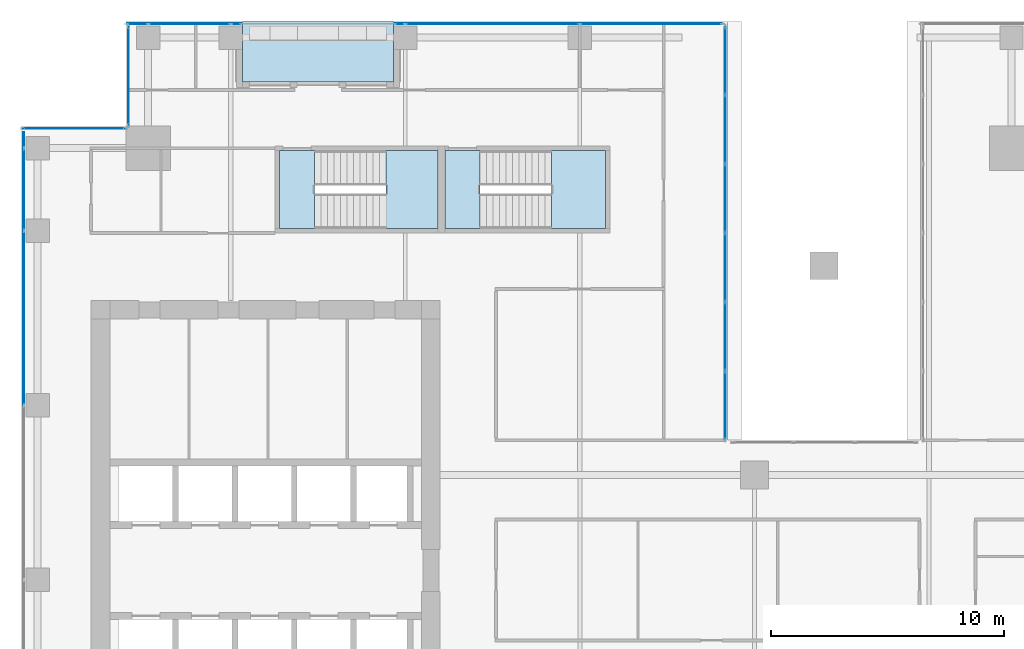
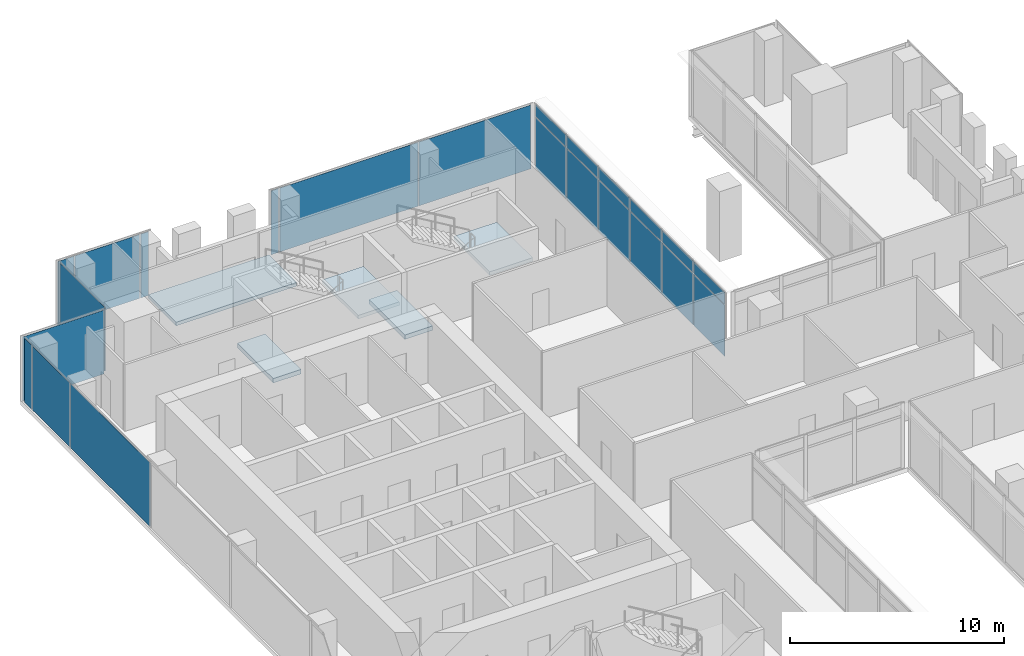
# One storey, part 32 of 40: 23 plates, 5 slabs, 8 elements without a shape of their own.
"""IFC4 building model written with IfcOpenShell, lengths in metres."""

from ifc_helpers import new_model, si_unit, direction, frame, origin, origin_2d, place, context, subcontext, project, spatial, polyline, rectangle, outline, extrude, source, transform, mapped, material, layer, layer_set, type_object, element, aggregate, save


model = new_model("IFC4")

# Units and contexts
model_context = context("Model", 3, precision=1e-05, world=origin(), true_north=direction((0.0, 1.0)))
body_context = subcontext(model_context, "Body", "Model", "MODEL_VIEW")
ifc_project = project(units=[si_unit("LENGTHUNIT", "METRE"), si_unit("AREAUNIT", "SQUARE_METRE"), si_unit("VOLUMEUNIT", "CUBIC_METRE"), si_unit("PLANEANGLEUNIT", "RADIAN"), si_unit("MASSUNIT", "GRAM", prefix="KILO")], contexts=[model_context])

# Site, building, storey
site_placement = place(None, origin())
site = spatial("IfcSite", under=ifc_project, at=site_placement, CompositionType="ELEMENT")
building_placement = place(site_placement, origin())
building = spatial("IfcBuilding", under=site, at=building_placement, Name="Khomas Fold Tower", CompositionType="ELEMENT")
storey_placement = place(building_placement, frame((0.0, 0.0, 180.699951171875)))
storey = spatial("IfcBuildingStorey", under=building, at=storey_placement, Name="L39", CompositionType="ELEMENT", Elevation=180.699951171875)

# Curtain wall, plate
ifc_material_1 = material(Name="Aluminium framed double glazing", Category="aluminium")
curtain_wall_type_1 = type_object("IfcCurtainWallType", Name="SK-Unitised clear-glass wall, office floors CW2", PredefinedType="NOTDEFINED", material=ifc_material_1)
curtain_wall_1_placement = place(storey_placement, origin())
curtain_wall_1 = element("IfcCurtainWall", 1, at=curtain_wall_1_placement, inside=storey, type_object=curtain_wall_type_1, Name="CW2 corner return L39 17", PredefinedType="NOTDEFINED")
ifc_material_2 = material(Name="Clear double glazed unit")
ifc_layer_1 = layer(ifc_material_2, 0.030029296875)
ifc_layer_set_1 = layer_set([ifc_layer_1], Name="Clear double glazed unit")
plate_type_1 = type_object("IfcPlateType", Name="SK-Unitised clear-glass wall, office floors glass panel CW2-P", PredefinedType="CURTAIN_PANEL", material=ifc_layer_set_1)
shared_shape_1 = source(origin(), body_context, "Body", "SweptSolid", [
    extrude(rectangle(XDim=4.3798828125, YDim=0.030029296875, at=origin_2d()), origin(), (0.0, 0.0, 1.0), 3.639892578125),
])
plate_1_placement = place(storey_placement, frame((5.25, 46.39990234375, 0.0), z_axis=(0.0, 0.0, 1.0), x_axis=(-1.0, 0.0, 0.0)))
plate_1 = element("IfcPlate", 2, at=plate_1_placement, type_object=plate_type_1, Name="CW2 glass panel 1", PredefinedType="CURTAIN_PANEL", context=body_context, shape_type="MappedRepresentation", body=[
    mapped(shared_shape_1, transform((0.0, 0.0, 0.0))),
])
aggregate(curtain_wall_1, [plate_1])

curtain_wall_2_placement = place(storey_placement, origin())
curtain_wall_2 = element("IfcCurtainWall", 3, at=curtain_wall_2_placement, inside=storey, type_object=curtain_wall_type_1, Name="CW2 run L39 18-0", PredefinedType="NOTDEFINED")
shared_shape_2 = source(origin(), body_context, "Body", "SweptSolid", [
    extrude(rectangle(XDim=0.659912109375, YDim=0.030029296875, at=origin_2d()), origin(), (0.0, 0.0, 1.0), 3.639892578125),
])
plate_2_placement = place(storey_placement, frame((3.10009765625, 45.909912109375, 0.0), z_axis=(0.0, 0.0, 1.0), x_axis=(0.0, -1.0, 0.0)))
plate_2 = element("IfcPlate", 4, at=plate_2_placement, type_object=plate_type_1, Name="CW2 glass panel 1", PredefinedType="CURTAIN_PANEL", context=body_context, shape_type="MappedRepresentation", body=[
    mapped(shared_shape_2, transform((0.0, 0.0, 0.0))),
])

curtain_wall_3_placement = place(storey_placement, origin())
curtain_wall_3 = element("IfcCurtainWall", 5, at=curtain_wall_3_placement, inside=storey, type_object=curtain_wall_type_1, Name="CW2 run L39 15-1", PredefinedType="NOTDEFINED")
shared_shape_3 = source(origin(), body_context, "Body", "SweptSolid", [
    extrude(rectangle(XDim=3.489990234375, YDim=0.030029296875, at=origin_2d()), origin(), (0.0, 0.0, 1.0), 3.639892578125),
])
plate_3_placement = place(storey_placement, frame((10.22509765625, 50.89990234375, 0.0), z_axis=(0.0, 0.0, 1.0), x_axis=(-1.0, 0.0, 0.0)))
plate_3 = element("IfcPlate", 6, at=plate_3_placement, type_object=plate_type_1, Name="CW2 glass panel 2", PredefinedType="CURTAIN_PANEL", context=body_context, shape_type="MappedRepresentation", body=[
    mapped(shared_shape_3, transform((0.0, 0.0, 0.0))),
])

# Plate
plate_4_placement = place(storey_placement, frame((3.10009765625, 43.77490234375, 0.0), z_axis=(0.0, 0.0, 1.0), x_axis=(0.0, -1.0, 0.0)))
plate_4 = element("IfcPlate", 7, at=plate_4_placement, type_object=plate_type_1, Name="CW2 glass panel 2", PredefinedType="CURTAIN_PANEL", context=body_context, shape_type="MappedRepresentation", body=[
    mapped(shared_shape_3, transform((0.0, 0.0, 0.0))),
])

# Curtain wall, plate
curtain_wall_4_placement = place(storey_placement, origin())
curtain_wall_4 = element("IfcCurtainWall", 8, at=curtain_wall_4_placement, inside=storey, type_object=curtain_wall_type_1, Name="CW2 run L39 15-0", PredefinedType="NOTDEFINED")
shared_shape_4 = source(origin(), body_context, "Body", "SweptSolid", [
    extrude(rectangle(XDim=7.43994140625, YDim=0.030029296875, at=origin_2d()), origin(), (0.0, 0.0, 1.0), 3.639892578125),
])
plate_5_placement = place(storey_placement, frame((23.25, 50.89990234375, 0.0), z_axis=(0.0, 0.0, 1.0), x_axis=(-1.0, 0.0, 0.0)))
plate_5 = element("IfcPlate", 9, at=plate_5_placement, type_object=plate_type_1, Name="CW2 glass panel 2", PredefinedType="CURTAIN_PANEL", context=body_context, shape_type="MappedRepresentation", body=[
    mapped(shared_shape_4, transform((0.0, 0.0, 0.0))),
])

# Plate
plate_6_placement = place(storey_placement, frame((3.10009765625, 38.25, 0.0), z_axis=(0.0, 0.0, 1.0), x_axis=(0.0, -1.0, 0.0)))
plate_6 = element("IfcPlate", 10, at=plate_6_placement, type_object=plate_type_1, Name="CW2 glass panel 3", PredefinedType="CURTAIN_PANEL", context=body_context, shape_type="MappedRepresentation", body=[
    mapped(shared_shape_4, transform((0.0, 0.0, 0.0))),
])

aggregate(curtain_wall_2, [plate_2, plate_4, plate_6])

# Curtain wall, plate
curtain_wall_5_placement = place(storey_placement, origin())
curtain_wall_5 = element("IfcCurtainWall", 11, at=curtain_wall_5_placement, inside=storey, type_object=curtain_wall_type_1, Name="CW2 corner return L39 16", PredefinedType="NOTDEFINED")
shared_shape_5 = source(origin(), body_context, "Body", "SweptSolid", [
    extrude(rectangle(XDim=4.179931640625, YDim=0.030029296875, at=origin_2d()), origin(), (0.0, 0.0, 1.0), 3.639892578125),
])
plate_7_placement = place(storey_placement, frame((7.60009765625, 48.64990234375, 0.0), z_axis=(0.0, 0.0, 1.0), x_axis=(0.0, -1.0, 0.0)))
plate_7 = element("IfcPlate", 12, at=plate_7_placement, type_object=plate_type_1, Name="CW2 glass panel 1", PredefinedType="CURTAIN_PANEL", context=body_context, shape_type="MappedRepresentation", body=[
    mapped(shared_shape_5, transform((0.0, 0.0, 0.0))),
])
aggregate(curtain_wall_5, [plate_7])

# Plate
shared_shape_6 = source(origin(), body_context, "Body", "SweptSolid", [
    extrude(rectangle(XDim=0.409912109375, YDim=0.030029296875, at=origin_2d()), origin(), (0.0, 0.0, 1.0), 3.639892578125),
])
plate_8_placement = place(storey_placement, frame((19.264892578125, 50.89990234375, 0.0), z_axis=(0.0, 0.0, 1.0), x_axis=(-1.0, 0.0, 0.0)))
plate_8 = element("IfcPlate", 13, at=plate_8_placement, type_object=plate_type_1, Name="CW2 glass panel 3", PredefinedType="CURTAIN_PANEL", context=body_context, shape_type="MappedRepresentation", body=[
    mapped(shared_shape_6, transform((0.0, 0.0, 0.0))),
])

plate_9_placement = place(storey_placement, frame((12.235107421875, 50.89990234375, 0.0), z_axis=(0.0, 0.0, 1.0), x_axis=(-1.0, 0.0, 0.0)))
plate_9 = element("IfcPlate", 14, at=plate_9_placement, type_object=plate_type_1, Name="CW2 glass panel 1", PredefinedType="CURTAIN_PANEL", context=body_context, shape_type="MappedRepresentation", body=[
    mapped(shared_shape_6, transform((0.0, 0.0, 0.0))),
])

shared_shape_7 = source(origin(), body_context, "Body", "SweptSolid", [
    extrude(rectangle(XDim=0.860107421875, YDim=0.030029296875, at=origin_2d()), origin(), (0.0, 0.0, 1.0), 3.639892578125),
])
plate_10_placement = place(storey_placement, frame((7.989990234375, 50.89990234375, 0.0), z_axis=(0.0, 0.0, 1.0), x_axis=(-1.0, 0.0, 0.0)))
plate_10 = element("IfcPlate", 15, at=plate_10_placement, type_object=plate_type_1, Name="CW2 glass panel 3", PredefinedType="CURTAIN_PANEL", context=body_context, shape_type="MappedRepresentation", body=[
    mapped(shared_shape_7, transform((0.0, 0.0, 0.0))),
])

aggregate(curtain_wall_3, [plate_9, plate_3, plate_10])

shared_shape_8 = source(origin(), body_context, "Body", "SweptSolid", [
    extrude(rectangle(XDim=6.06005859375, YDim=0.030029296875, at=origin_2d()), origin(), (0.0, 0.0, 1.0), 3.639892578125),
])
plate_11_placement = place(storey_placement, frame((30.06005859375, 50.89990234375, 0.0), z_axis=(0.0, 0.0, 1.0), x_axis=(-1.0, 0.0, 0.0)))
plate_11 = element("IfcPlate", 16, at=plate_11_placement, type_object=plate_type_1, Name="CW2 glass panel 1", PredefinedType="CURTAIN_PANEL", context=body_context, shape_type="MappedRepresentation", body=[
    mapped(shared_shape_8, transform((0.0, 0.0, 0.0))),
])

aggregate(curtain_wall_4, [plate_11, plate_5, plate_8])

# Slab
ifc_material_3 = material(Name="Concrete C40/50", Category="concrete")
ifc_layer_2 = layer(ifc_material_3, 0.205078125)
ifc_layer_set_2 = layer_set([ifc_layer_2], Name="Concrete C40/50")
slab_type_1 = type_object("IfcSlabType", Name="BL-Balcony deck 205", PredefinedType="FLOOR", material=ifc_layer_set_2)
shared_shape_9 = source(origin(), body_context, "Body", "SweptSolid", [
    extrude(outline(polyline([(12.5, 48.39990234375), (19.0, 48.39990234375), (19.0, 51.0), (12.5, 51.0), (12.5, 48.39990234375)])), origin(), (0.0, 0.0, 1.0), 0.205078125),
])
slab_1_placement = place(storey_placement, frame((0.0, 0.0, -0.25)))
element("IfcSlab", 17, at=slab_1_placement, inside=storey, type_object=slab_type_1, Name="Balcony deck BAL-L39-N1", PredefinedType="FLOOR", context=body_context, shape_type="MappedRepresentation", body=[
    mapped(shared_shape_9, transform((0.0, 0.0, 0.0))),
])

# Curtain wall, plates
ifc_material_4 = material(Name="Aluminium framed double glazing", Category="aluminium")
curtain_wall_type_2 = type_object("IfcCurtainWallType", Name="Notch glazing GN-CW", PredefinedType="NOTDEFINED", material=ifc_material_4)
curtain_wall_6_placement = place(storey_placement, origin())
curtain_wall_6 = element("IfcCurtainWall", 18, at=curtain_wall_6_placement, inside=storey, type_object=curtain_wall_type_2, Name="Notch glazing run", PredefinedType="NOTDEFINED")
ifc_material_5 = material(Name="Double glazed unit")
ifc_layer_3 = layer(ifc_material_5, 0.031982421875)
ifc_layer_set_3 = layer_set([ifc_layer_3], Name="Double glazed unit")
plate_type_2 = type_object("IfcPlateType", Name="Notch glazing panel GN-CW-P", PredefinedType="CURTAIN_PANEL", material=ifc_layer_set_3)
shared_shape_10 = source(origin(), body_context, "Body", "SweptSolid", [
    extrude(rectangle(XDim=2.876708984375, YDim=0.031982421875, at=origin_2d()), origin(), (0.0, 0.0, 1.0), 2.909912109375),
])
plate_12_placement = place(storey_placement, frame((33.25, 34.498291015625, 0.06005859375), z_axis=(0.0, 0.0, 1.0), x_axis=(0.0, 1.0, 0.0)))
plate_12 = element("IfcPlate", 19, at=plate_12_placement, type_object=plate_type_2, Name="GN-CW panel 1.1", PredefinedType="CURTAIN_PANEL", context=body_context, shape_type="MappedRepresentation", body=[
    mapped(shared_shape_10, transform((0.0, 0.0, 0.0))),
])
plate_13_placement = place(storey_placement, frame((33.25, 49.3017578125, 0.06005859375), z_axis=(0.0, 0.0, 1.0), x_axis=(0.0, 1.0, 0.0)))
plate_13 = element("IfcPlate", 20, at=plate_13_placement, type_object=plate_type_2, Name="GN-CW panel 6.1", PredefinedType="CURTAIN_PANEL", context=body_context, shape_type="MappedRepresentation", body=[
    mapped(shared_shape_10, transform((0.0, 0.0, 0.0))),
])
shared_shape_11 = source(origin(), body_context, "Body", "SweptSolid", [
    extrude(rectangle(XDim=2.90673828125, YDim=0.031982421875, at=origin_2d()), origin(), (0.0, 0.0, 1.0), 2.909912109375),
])
plate_14_placement = place(storey_placement, frame((33.25, 37.449951171875, 0.06005859375), z_axis=(0.0, 0.0, 1.0), x_axis=(0.0, 1.0, 0.0)))
plate_14 = element("IfcPlate", 21, at=plate_14_placement, type_object=plate_type_2, Name="GN-CW panel 2.1", PredefinedType="CURTAIN_PANEL", context=body_context, shape_type="MappedRepresentation", body=[
    mapped(shared_shape_11, transform((0.0, 0.0, 0.0))),
])
plate_15_placement = place(storey_placement, frame((33.25, 40.416748046875, 0.06005859375), z_axis=(0.0, 0.0, 1.0), x_axis=(0.0, 1.0, 0.0)))
plate_15 = element("IfcPlate", 22, at=plate_15_placement, type_object=plate_type_2, Name="GN-CW panel 3.1", PredefinedType="CURTAIN_PANEL", context=body_context, shape_type="MappedRepresentation", body=[
    mapped(shared_shape_11, transform((0.0, 0.0, 0.0))),
])
plate_16_placement = place(storey_placement, frame((33.25, 43.38330078125, 0.06005859375), z_axis=(0.0, 0.0, 1.0), x_axis=(0.0, 1.0, 0.0)))
plate_16 = element("IfcPlate", 23, at=plate_16_placement, type_object=plate_type_2, Name="GN-CW panel 4.1", PredefinedType="CURTAIN_PANEL", context=body_context, shape_type="MappedRepresentation", body=[
    mapped(shared_shape_11, transform((0.0, 0.0, 0.0))),
])
plate_17_placement = place(storey_placement, frame((33.25, 46.35009765625, 0.06005859375), z_axis=(0.0, 0.0, 1.0), x_axis=(0.0, 1.0, 0.0)))
plate_17 = element("IfcPlate", 24, at=plate_17_placement, type_object=plate_type_2, Name="GN-CW panel 5.1", PredefinedType="CURTAIN_PANEL", context=body_context, shape_type="MappedRepresentation", body=[
    mapped(shared_shape_11, transform((0.0, 0.0, 0.0))),
])
shared_shape_12 = source(origin(), body_context, "Body", "SweptSolid", [
    extrude(rectangle(XDim=2.876708984375, YDim=0.031982421875, at=origin_2d()), origin(), (0.0, 0.0, 1.0), 0.659912109375),
])
plate_18_placement = place(storey_placement, frame((33.25, 34.498291015625, 3.0302734375), z_axis=(0.0, 0.0, 1.0), x_axis=(0.0, 1.0, 0.0)))
plate_18 = element("IfcPlate", 25, at=plate_18_placement, type_object=plate_type_2, Name="GN-CW panel 1.2", PredefinedType="CURTAIN_PANEL", context=body_context, shape_type="MappedRepresentation", body=[
    mapped(shared_shape_12, transform((0.0, 0.0, 0.0))),
])
plate_19_placement = place(storey_placement, frame((33.25, 49.3017578125, 3.0302734375), z_axis=(0.0, 0.0, 1.0), x_axis=(0.0, 1.0, 0.0)))
plate_19 = element("IfcPlate", 26, at=plate_19_placement, type_object=plate_type_2, Name="GN-CW panel 6.2", PredefinedType="CURTAIN_PANEL", context=body_context, shape_type="MappedRepresentation", body=[
    mapped(shared_shape_12, transform((0.0, 0.0, 0.0))),
])
shared_shape_13 = source(origin(), body_context, "Body", "SweptSolid", [
    extrude(rectangle(XDim=2.90673828125, YDim=0.031982421875, at=origin_2d()), origin(), (0.0, 0.0, 1.0), 0.659912109375),
])
plate_20_placement = place(storey_placement, frame((33.25, 37.449951171875, 3.0302734375), z_axis=(0.0, 0.0, 1.0), x_axis=(0.0, 1.0, 0.0)))
plate_20 = element("IfcPlate", 27, at=plate_20_placement, type_object=plate_type_2, Name="GN-CW panel 2.2", PredefinedType="CURTAIN_PANEL", context=body_context, shape_type="MappedRepresentation", body=[
    mapped(shared_shape_13, transform((0.0, 0.0, 0.0))),
])
plate_21_placement = place(storey_placement, frame((33.25, 40.416748046875, 3.0302734375), z_axis=(0.0, 0.0, 1.0), x_axis=(0.0, 1.0, 0.0)))
plate_21 = element("IfcPlate", 28, at=plate_21_placement, type_object=plate_type_2, Name="GN-CW panel 3.2", PredefinedType="CURTAIN_PANEL", context=body_context, shape_type="MappedRepresentation", body=[
    mapped(shared_shape_13, transform((0.0, 0.0, 0.0))),
])
plate_22_placement = place(storey_placement, frame((33.25, 43.38330078125, 3.0302734375), z_axis=(0.0, 0.0, 1.0), x_axis=(0.0, 1.0, 0.0)))
plate_22 = element("IfcPlate", 29, at=plate_22_placement, type_object=plate_type_2, Name="GN-CW panel 4.2", PredefinedType="CURTAIN_PANEL", context=body_context, shape_type="MappedRepresentation", body=[
    mapped(shared_shape_13, transform((0.0, 0.0, 0.0))),
])
plate_23_placement = place(storey_placement, frame((33.25, 46.35009765625, 3.0302734375), z_axis=(0.0, 0.0, 1.0), x_axis=(0.0, 1.0, 0.0)))
plate_23 = element("IfcPlate", 30, at=plate_23_placement, type_object=plate_type_2, Name="GN-CW panel 5.2", PredefinedType="CURTAIN_PANEL", context=body_context, shape_type="MappedRepresentation", body=[
    mapped(shared_shape_13, transform((0.0, 0.0, 0.0))),
])
aggregate(curtain_wall_6, [plate_12, plate_18, plate_14, plate_20, plate_15, plate_21, plate_16, plate_22, plate_17, plate_23, plate_13, plate_19])

# Stair, slab
ifc_material_6 = material(Name="Concrete C40/50", Category="concrete")
stair_type_1 = type_object("IfcStairType", Name="Stair ST1", PredefinedType="HALF_TURN_STAIR", material=ifc_material_6)
stair_1_placement = place(storey_placement, origin())
stair_1 = element("IfcStair", 31, at=stair_1_placement, inside=storey, type_object=stair_type_1, Name="L39 ST1", PredefinedType="HALF_TURN_STAIR")
ifc_material_7 = material(Name="Concrete C40/50", Category="concrete")
ifc_layer_4 = layer(ifc_material_7, 0.199951171875)
ifc_layer_set_4 = layer_set([ifc_layer_4], Name="Concrete C40/50")
slab_type_2 = type_object("IfcSlabType", Name="Stair landing 200", PredefinedType="LANDING", material=ifc_layer_set_4)
shared_shape_14 = source(origin(), body_context, "Body", "SweptSolid", [
    extrude(outline(polyline([(18.679931640625, 42.10009765625), (20.89990234375, 42.10009765625), (20.89990234375, 45.449951171875), (18.679931640625, 45.449951171875), (18.679931640625, 42.10009765625)])), origin(), (0.0, 0.0, 1.0), 0.199951171875),
])
slab_2_placement = place(storey_placement, frame((0.0, 0.0, 1.800048828125)))
slab_2 = element("IfcSlab", 32, at=slab_2_placement, type_object=slab_type_2, Name="ST1 landing 1", PredefinedType="LANDING", context=body_context, shape_type="MappedRepresentation", body=[
    mapped(shared_shape_14, transform((0.0, 0.0, 0.0))),
])
aggregate(stair_1, [slab_2])

# Slab
ifc_material_8 = material(Name="Concrete C40/50", Category="concrete")
ifc_layer_5 = layer(ifc_material_8, 0.25)
ifc_layer_set_5 = layer_set([ifc_layer_5], Name="Concrete C40/50")
slab_type_3 = type_object("IfcSlabType", Name="Stair floor landing 250", PredefinedType="LANDING", material=ifc_layer_set_5)
shared_shape_15 = source(origin(), body_context, "Body", "SweptSolid", [
    extrude(outline(polyline([(15.60009765625, 42.10009765625), (14.10009765625, 42.10009765625), (14.10009765625, 45.449951171875), (15.60009765625, 45.449951171875), (15.60009765625, 42.10009765625)])), origin(), (0.0, 0.0, 1.0), 0.25),
])
slab_3_placement = place(storey_placement, frame((0.0, 0.0, -0.25)))
element("IfcSlab", 33, at=slab_3_placement, inside=storey, type_object=slab_type_3, Name="ST1 floor landing", PredefinedType="LANDING", context=body_context, shape_type="MappedRepresentation", body=[
    mapped(shared_shape_15, transform((0.0, 0.0, 0.0))),
])

# Stair, slab
ifc_material_9 = material(Name="Concrete C40/50", Category="concrete")
stair_type_2 = type_object("IfcStairType", Name="Stair ST3", PredefinedType="HALF_TURN_STAIR", material=ifc_material_9)
stair_2_placement = place(storey_placement, origin())
stair_2 = element("IfcStair", 34, at=stair_2_placement, inside=storey, type_object=stair_type_2, Name="L39 ST3", PredefinedType="HALF_TURN_STAIR")
shared_shape_16 = source(origin(), body_context, "Body", "SweptSolid", [
    extrude(outline(polyline([(25.780029296875, 42.10009765625), (28.10009765625, 42.10009765625), (28.10009765625, 45.449951171875), (25.780029296875, 45.449951171875), (25.780029296875, 42.10009765625)])), origin(), (0.0, 0.0, 1.0), 0.199951171875),
])
slab_4_placement = place(storey_placement, frame((0.0, 0.0, 1.800048828125)))
slab_4 = element("IfcSlab", 35, at=slab_4_placement, type_object=slab_type_2, Name="ST3 landing 1", PredefinedType="LANDING", context=body_context, shape_type="MappedRepresentation", body=[
    mapped(shared_shape_16, transform((0.0, 0.0, 0.0))),
])
aggregate(stair_2, [slab_4])

# Slab
shared_shape_17 = source(origin(), body_context, "Body", "SweptSolid", [
    extrude(outline(polyline([(22.699951171875, 42.10009765625), (21.199951171875, 42.10009765625), (21.199951171875, 45.449951171875), (22.699951171875, 45.449951171875), (22.699951171875, 42.10009765625)])), origin(), (0.0, 0.0, 1.0), 0.25),
])
slab_5_placement = place(storey_placement, frame((0.0, 0.0, -0.25)))
element("IfcSlab", 36, at=slab_5_placement, inside=storey, type_object=slab_type_3, Name="ST3 floor landing", PredefinedType="LANDING", context=body_context, shape_type="MappedRepresentation", body=[
    mapped(shared_shape_17, transform((0.0, 0.0, 0.0))),
])

save(model, "model.ifc")
